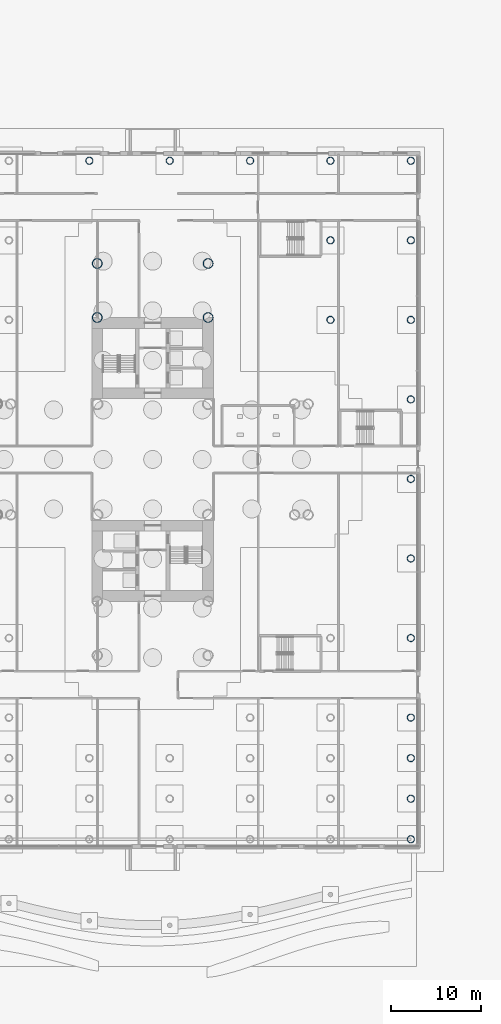
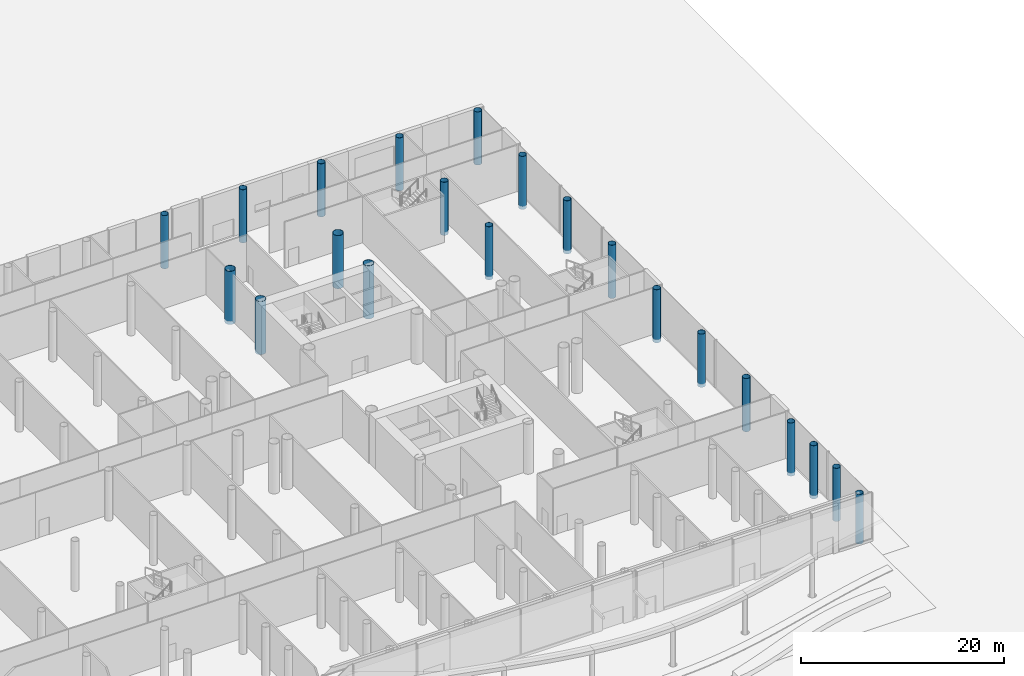
# One storey, part 5 of 75: 21 columns.
"""IFC4 building model written with IfcOpenShell, lengths in metres."""

from ifc_helpers import new_model, si_unit, direction, frame, origin, origin_2d, place, context, subcontext, project, spatial, hollow_circle, extrude, material, material_profile, profile_set, type_object, element, save


model = new_model("IFC4")

# Units and contexts
model_context = context("Model", 3, precision=1e-05, world=origin(), true_north=direction((0.0, 1.0)))
body_context = subcontext(model_context, "Body", "Model", "MODEL_VIEW")
ifc_project = project(units=[si_unit("LENGTHUNIT", "METRE"), si_unit("AREAUNIT", "SQUARE_METRE"), si_unit("VOLUMEUNIT", "CUBIC_METRE"), si_unit("PLANEANGLEUNIT", "RADIAN"), si_unit("MASSUNIT", "GRAM", prefix="KILO")], contexts=[model_context])

# Site, building, storey
site_placement = place(None, origin())
site = spatial("IfcSite", under=ifc_project, at=site_placement, CompositionType="ELEMENT")
building_placement = place(site_placement, origin())
building = spatial("IfcBuilding", under=site, at=building_placement, Name="Ipe Terrace Towers", CompositionType="ELEMENT")
storey_placement = place(building_placement, origin())
storey = spatial("IfcBuildingStorey", under=building, at=storey_placement, Name="L00", CompositionType="ELEMENT", Elevation=0.0)

# Columns
ifc_material_1 = material(Name="Steel S355 tube with Concrete C60/75 fill", Category="concrete")
ifc_material_profile_1 = material_profile(ifc_material_1, hollow_circle(Radius=0.550048828125, WallThickness=0.0400390625, at=origin_2d()), Name="CHS-1100x40")
ifc_profile_set_1 = profile_set([ifc_material_profile_1], Name="Steel S355 tube with Concrete C60/75 fill")
column_type_1 = type_object("IfcColumnType", Name="CH02 COLUMN CHS-1100x40", PredefinedType="COLUMN", material=ifc_profile_set_1)
for number, where, z_axis, x_axis, name in (
    (1, (42.14990234375, 15.75, -0.39990234375), (0.0, 0.0, 1.0), (1.0, 0.0, 0.0), "Column T2-C-A01"),
    (2, (29.85009765625, 15.75, -0.39990234375), (0.0, 0.0, 1.0), (1.0, 0.0, 0.0), "Column T2-C-A02"),
    (3, (42.14990234375, 21.75, -0.39990234375), (0.0, 0.0, 1.0), (1.0, 0.0, 0.0), "Column T2-C-A03"),
    (4, (29.85009765625, 21.75, -0.39990234375), (0.0, 0.0, 1.0), (1.0, 0.0, 0.0), "Column T2-C-A04"),
):
    element("IfcColumn", number, at=place(storey_placement, frame(where, z_axis=z_axis, x_axis=x_axis)), inside=storey, type_object=column_type_1, Name=name, PredefinedType="COLUMN", context=body_context, shape_type="SweptSolid", body=[
        extrude(hollow_circle(Radius=0.550048828125, WallThickness=0.0400390625, at=origin_2d()), origin(), (0.0, 0.0, 1.0), 6.39990234375),
    ])
ifc_material_2 = material(Name="Steel S355 tube with Concrete C60/75 fill", Category="concrete")
ifc_material_profile_2 = material_profile(ifc_material_2, hollow_circle(Radius=0.39990234375, WallThickness=0.028076171875, at=origin_2d()), Name="CHS-800x28")
ifc_profile_set_2 = profile_set([ifc_material_profile_2], Name="Steel S355 tube with Concrete C60/75 fill")
column_type_2 = type_object("IfcColumnType", Name="CH09 PODIUM COLUMN CHS-800x28", PredefinedType="COLUMN", material=ifc_profile_set_2)
column_placement = place(storey_placement, frame((64.64990234375, -42.14990234375, -0.39990234375), z_axis=(0.0, 0.0, 1.0), x_axis=(1.0, 0.0, 0.0)))
element("IfcColumn", 5, at=column_placement, inside=storey, type_object=column_type_2, Name="Column PD-C-A16", PredefinedType="COLUMN", context=body_context, shape_type="SweptSolid", body=[
    extrude(hollow_circle(Radius=0.39990234375, WallThickness=0.028076171875, at=origin_2d()), origin(), (0.0, 0.0, 1.0), 5.97998046875),
])
for number, where, z_axis, x_axis, name in (
    (6, (64.64990234375, -37.64990234375, -0.39990234375), (0.0, 0.0, 1.0), (1.0, 0.0, 0.0), "Column PD-C-B16"),
    (7, (64.64990234375, -33.14990234375, -0.39990234375), (0.0, 0.0, 1.0), (1.0, 0.0, 0.0), "Column PD-C-C16"),
    (8, (64.64990234375, -28.64990234375, -0.39990234375), (0.0, 0.0, 1.0), (1.0, 0.0, 0.0), "Column PD-C-D16"),
    (9, (64.64990234375, -19.821044921875, -0.39990234375), (0.0, 0.0, 1.0), (1.0, 0.0, 0.0), "Column PD-C-E16"),
    (10, (64.64990234375, -10.992919921875, -0.39990234375), (0.0, 0.0, 1.0), (1.0, 0.0, 0.0), "Column PD-C-F16"),
    (11, (64.64990234375, -2.1640625, -0.39990234375), (0.0, 0.0, 1.0), (1.0, 0.0, 0.0), "Column PD-C-G16"),
    (12, (64.64990234375, 6.6640625, -0.39990234375), (0.0, 0.0, 1.0), (1.0, 0.0, 0.0), "Column PD-C-H16"),
    (13, (55.72998046875, 15.492919921875, -0.39990234375), (0.0, 0.0, 1.0), (1.0, 0.0, 0.0), "Column PD-C-I15"),
    (14, (64.64990234375, 15.492919921875, -0.39990234375), (0.0, 0.0, 1.0), (1.0, 0.0, 0.0), "Column PD-C-I16"),
    (15, (55.72998046875, 24.321044921875, -0.39990234375), (0.0, 0.0, 1.0), (1.0, 0.0, 0.0), "Column PD-C-J15"),
    (16, (64.64990234375, 24.321044921875, -0.39990234375), (0.0, 0.0, 1.0), (1.0, 0.0, 0.0), "Column PD-C-J16"),
    (17, (28.969970703125, 33.14990234375, -0.39990234375), (0.0, 0.0, 1.0), (1.0, 0.0, 0.0), "Column PD-C-K12"),
    (18, (37.889892578125, 33.14990234375, -0.39990234375), (0.0, 0.0, 1.0), (1.0, 0.0, 0.0), "Column PD-C-K13"),
    (19, (46.81005859375, 33.14990234375, -0.39990234375), (0.0, 0.0, 1.0), (1.0, 0.0, 0.0), "Column PD-C-K14"),
    (20, (55.72998046875, 33.14990234375, -0.39990234375), (0.0, 0.0, 1.0), (1.0, 0.0, 0.0), "Column PD-C-K15"),
    (21, (64.64990234375, 33.14990234375, -0.39990234375), (0.0, 0.0, 1.0), (1.0, 0.0, 0.0), "Column PD-C-K16"),
):
    element("IfcColumn", number, at=place(storey_placement, frame(where, z_axis=z_axis, x_axis=x_axis)), inside=storey, type_object=column_type_2, Name=name, PredefinedType="COLUMN", context=body_context, shape_type="SweptSolid", body=[
        extrude(hollow_circle(Radius=0.39990234375, WallThickness=0.028076171875, at=origin_2d()), origin(), (0.0, 0.0, 1.0), 6.39990234375),
    ])

save(model, "model.ifc")
